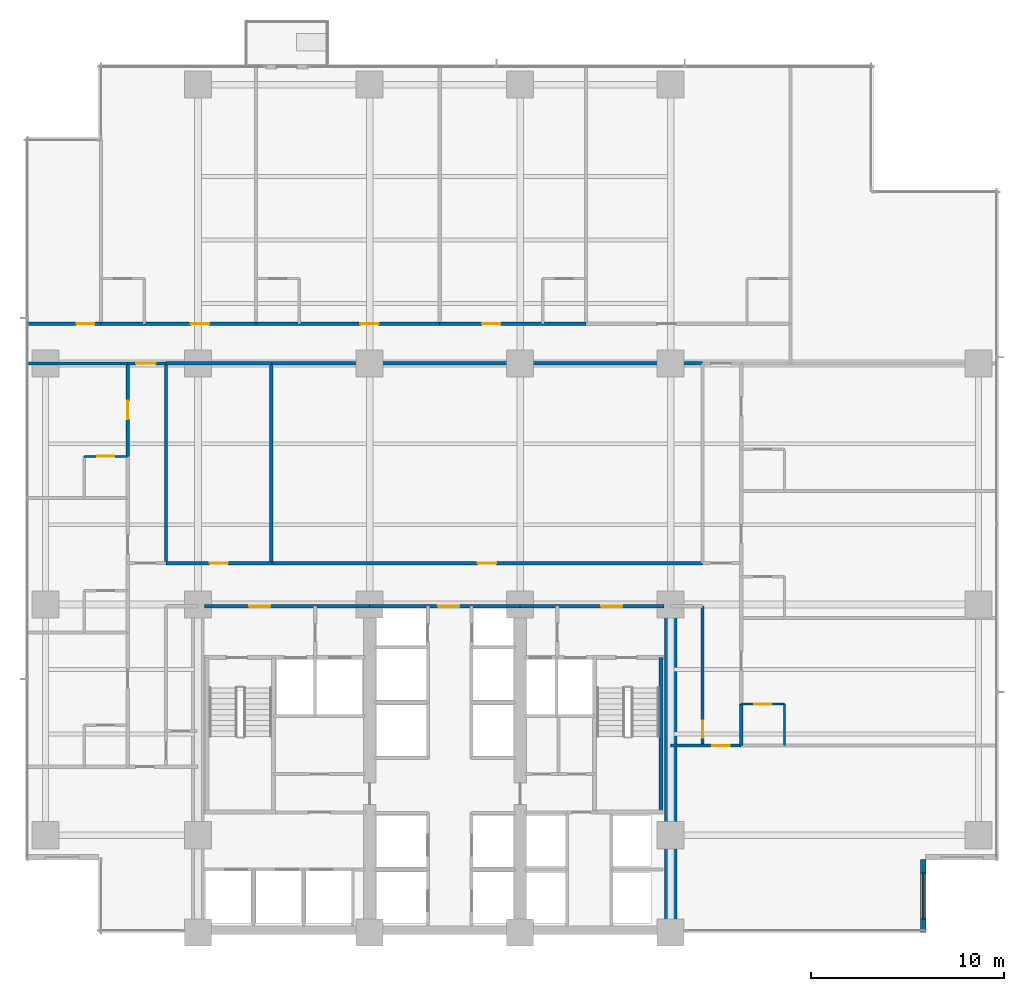
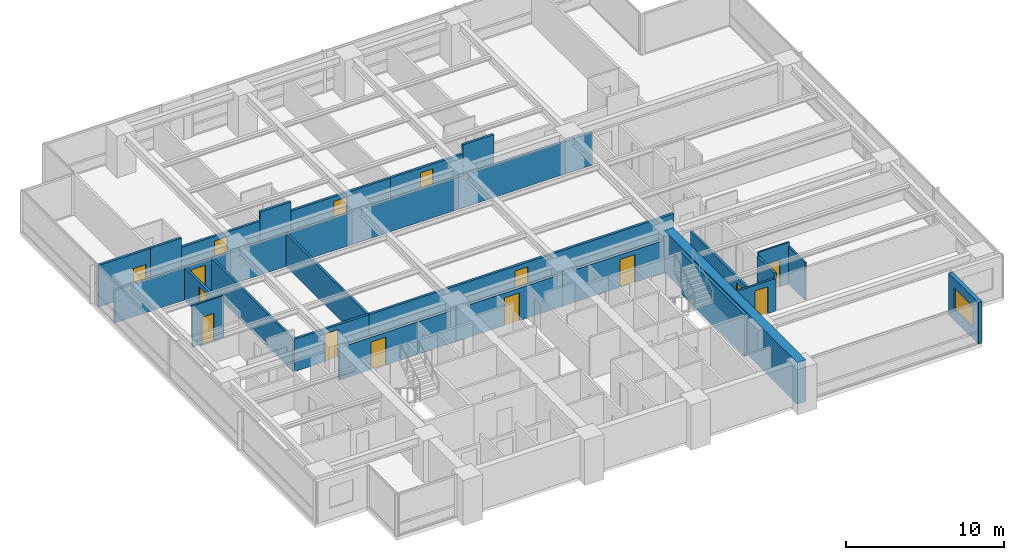
# One storey, part 9 of 17: 29 walls, 15 doors, 1 window, 16 openings.
"""IFC4 building model written with IfcOpenShell, lengths in metres."""

from ifc_helpers import new_model, si_unit, direction, frame, frame_2d, origin, place, context, subcontext, project, spatial, rectangle, extrude, material, layer, layer_set, type_object, element, fill, save


model = new_model("IFC4")

# Units and contexts
model_context = context("Model", 3, precision=1e-05, world=origin(), true_north=direction((0.0, 1.0)))
body_context = subcontext(model_context, "Body", "Model", "MODEL_VIEW")
ifc_project = project(units=[si_unit("LENGTHUNIT", "METRE"), si_unit("AREAUNIT", "SQUARE_METRE"), si_unit("VOLUMEUNIT", "CUBIC_METRE"), si_unit("PLANEANGLEUNIT", "RADIAN"), si_unit("MASSUNIT", "GRAM", prefix="KILO")], contexts=[model_context])

# Site, building, storey
site_placement = place(None, origin())
site = spatial("IfcSite", under=ifc_project, at=site_placement, CompositionType="ELEMENT")
building_placement = place(site_placement, origin())
building = spatial("IfcBuilding", under=site, at=building_placement, Name="Qalmaran Belvedere Hotel", CompositionType="ELEMENT")
storey_placement = place(building_placement, frame((0.0, 0.0, 68.39990234375)))
storey = spatial("IfcBuildingStorey", under=building, at=storey_placement, Name="L17", CompositionType="ELEMENT", Elevation=68.39990234375)

# Wall
ifc_material_1 = material(Name="Concrete C60/75", Category="concrete")
ifc_layer_1 = layer(ifc_material_1, 0.64990234375, Name="Concrete C60/75")
ifc_layer_set_1 = layer_set([ifc_layer_1], Name="Concrete C60/75")
wall_type_1 = type_object("IfcWallType", Name="WL-CORE-650-C60", PredefinedType="SHEAR", material=ifc_layer_set_1)
wall_1_placement = place(storey_placement, frame((44.800048828125, 3.5, 0.0), z_axis=(0.0, 0.0, 1.0), x_axis=(0.0, 1.0, 0.0)))
element("IfcWall", 1, at=wall_1_placement, inside=storey, type_object=wall_type_1, Name="L17 East Core Shear Wall", PredefinedType="SHEAR", context=body_context, shape_type="SweptSolid", body=[
    extrude(rectangle(XDim=16.89990234375, YDim=0.64990234375, at=frame_2d((8.449951171875, 0.0))), origin(), (0.0, 0.0, 1.0), 3.22021484375),
])

# Wall, opening, window
ifc_material_2 = material(Name="Anodised Bronze Cladding")
ifc_layer_2 = layer(ifc_material_2, 0.280029296875, Name="Anodised Bronze Cladding")
ifc_layer_set_2 = layer_set([ifc_layer_2], Name="Anodised Bronze Cladding")
wall_type_2 = type_object("IfcWallType", Name="WL-EXT-BRNZ-280", PredefinedType="SOLIDWALL", material=ifc_layer_set_2)
wall_2_placement = place(storey_placement, frame((57.8798828125, 3.5, 0.0), z_axis=(0.0, 0.0, 1.0), x_axis=(0.0, 1.0, 0.0)))
wall_2 = element("IfcWall", 2, at=wall_2_placement, inside=storey, type_object=wall_type_2, Name="L17 Corner Notch Wall 1", PredefinedType="SOLIDWALL", context=body_context, shape_type="SweptSolid", body=[
    extrude(rectangle(XDim=3.800048828125, YDim=0.280029296875, at=frame_2d((1.89990234375, 0.0))), origin(), (0.0, 0.0, 1.0), 3.22021484375),
])
opening_1_placement = place(wall_2_placement, frame((0.699951171875, 0.0, 0.85009765625)))
opening_1 = element("IfcOpeningElement", 3, at=opening_1_placement, cuts=wall_2, Name="Opening W-N24", PredefinedType="OPENING", context=body_context, shape_type="SweptSolid", body=[
    extrude(rectangle(XDim=2.39990234375, YDim=1.64990234375, at=frame_2d((1.199951171875, 0.824951171875))), frame((0.0, 0.14990234375, 0.0), z_axis=(0.0, -1.0, 0.0), x_axis=(1.0, 0.0, 0.0)), (0.0, 0.0, 1.0), 0.300048828125),
])
ifc_material_3 = material(Name="Solar-Control Double Glazing", Category="glass")
window_type = type_object("IfcWindowType", Name="WN-NTC-2400X1650", PartitioningType="SINGLE_PANEL", PredefinedType="WINDOW", material=ifc_material_3)
window_placement = place(opening_1_placement, origin())
window = element("IfcWindow", 4, at=window_placement, inside=storey, type_object=window_type, Name="L17 Corner Notch Window 1", OverallHeight=1.64990234375, OverallWidth=2.39990234375, PartitioningType="SINGLE_PANEL", PredefinedType="WINDOW", context=body_context, shape_type="SweptSolid", body=[
    extrude(rectangle(XDim=2.39990234375, YDim=1.64990234375, at=frame_2d((1.199951171875, 0.824951171875))), frame((0.0, 0.030029296875, 0.0), z_axis=(0.0, -1.0, 0.0), x_axis=(1.0, 0.0, 0.0)), (0.0, 0.0, 1.0), 0.06005859375),
])
fill(opening_1, window)

# Wall, opening, door
ifc_material_4 = material(Name="Moisture-Resistant Gypsum")
ifc_layer_3 = layer(ifc_material_4, 0.1201171875, Name="Moisture-Resistant Gypsum")
ifc_layer_set_3 = layer_set([ifc_layer_3], Name="Moisture-Resistant Gypsum")
wall_type_3 = type_object("IfcWallType", Name="WL-INT-120-BATH", PredefinedType="PARTITIONING", material=ifc_layer_set_3)
wall_3_placement = place(storey_placement, frame((14.39990234375, 28.183349609375, 0.0), z_axis=(0.0, 0.0, 1.0), x_axis=(1.0, 0.0, 0.0)))
wall_3 = element("IfcWall", 5, at=wall_3_placement, inside=storey, type_object=wall_type_3, Name="L17 Partition WL-L17-WBN02", PredefinedType="PARTITIONING", context=body_context, shape_type="SweptSolid", body=[
    extrude(rectangle(XDim=2.25, YDim=0.1201171875, at=frame_2d((1.125, 0.0))), origin(), (0.0, 0.0, 1.0), 3.22021484375),
])
opening_2_placement = place(wall_3_placement, frame((1.56494140625, 0.0, 0.0), z_axis=(0.0, 0.0, 1.0), x_axis=(-1.0, 0.0, 0.0)))
opening_2 = element("IfcOpeningElement", 6, at=opening_2_placement, cuts=wall_3, Name="Opening D-BATH", PredefinedType="OPENING", context=body_context, shape_type="SweptSolid", body=[
    extrude(rectangle(XDim=0.8798828125, YDim=2.080078125, at=frame_2d((0.43994140625, 1.0400390625))), frame((0.0, 0.070068359375, 0.0), z_axis=(0.0, -1.0, 0.0), x_axis=(1.0, 0.0, 0.0)), (0.0, 0.0, 1.0), 0.14013671875),
])
ifc_material_5 = material(Name="Engineered Oak Veneer")
door_type_1 = type_object("IfcDoorType", Name="DR-INT-BATH-880X2080", OperationType="NOTDEFINED", PredefinedType="DOOR", material=ifc_material_5)
door_1_placement = place(opening_2_placement, origin())
door_1 = element("IfcDoor", 7, at=door_1_placement, inside=storey, type_object=door_type_1, Name="L17 W Ensuite Door 03", OperationType="SINGLE_SWING_LEFT", OverallHeight=2.080078125, OverallWidth=0.8798828125, PredefinedType="DOOR", context=body_context, shape_type="SweptSolid", body=[
    extrude(rectangle(XDim=0.8798828125, YDim=2.080078125, at=frame_2d((0.43994140625, 1.0400390625))), frame((0.0, 0.02490234375, 0.0), z_axis=(0.0, -1.0, 0.0), x_axis=(1.0, 0.0, 0.0)), (0.0, 0.0, 1.0), 0.050048828125),
])
fill(opening_2, door_1)

wall_4_placement = place(storey_placement, frame((48.449951171875, 15.35009765625, 0.0), z_axis=(0.0, 0.0, 1.0), x_axis=(1.0, 0.0, 0.0)))
wall_4 = element("IfcWall", 8, at=wall_4_placement, inside=storey, type_object=wall_type_3, Name="L17 Partition WL-L17-EBN00", PredefinedType="PARTITIONING", context=body_context, shape_type="SweptSolid", body=[
    extrude(rectangle(XDim=2.25, YDim=0.1201171875, at=frame_2d((1.125, 0.0))), origin(), (0.0, 0.0, 1.0), 3.22021484375),
])
opening_3_placement = place(wall_4_placement, frame((1.56494140625, 0.0, 0.0), z_axis=(0.0, 0.0, 1.0), x_axis=(-1.0, 0.0, 0.0)))
opening_3 = element("IfcOpeningElement", 9, at=opening_3_placement, cuts=wall_4, Name="Opening D-BATH", PredefinedType="OPENING", context=body_context, shape_type="SweptSolid", body=[
    extrude(rectangle(XDim=0.8798828125, YDim=2.080078125, at=frame_2d((0.43994140625, 1.0400390625))), frame((0.0, 0.070068359375, 0.0), z_axis=(0.0, -1.0, 0.0), x_axis=(1.0, 0.0, 0.0)), (0.0, 0.0, 1.0), 0.14013671875),
])
door_2_placement = place(opening_3_placement, origin())
door_2 = element("IfcDoor", 10, at=door_2_placement, inside=storey, type_object=door_type_1, Name="L17 E Ensuite Door 01", OperationType="SINGLE_SWING_LEFT", OverallHeight=2.080078125, OverallWidth=0.8798828125, PredefinedType="DOOR", context=body_context, shape_type="SweptSolid", body=[
    extrude(rectangle(XDim=0.8798828125, YDim=2.080078125, at=frame_2d((0.43994140625, 1.0400390625))), frame((0.0, 0.02490234375, 0.0), z_axis=(0.0, -1.0, 0.0), x_axis=(1.0, 0.0, 0.0)), (0.0, 0.0, 1.0), 0.050048828125),
])
fill(opening_3, door_2)

# Wall
wall_5_placement = place(storey_placement, frame((50.699951171875, 13.199951171875, 0.0), z_axis=(0.0, 0.0, 1.0), x_axis=(0.0, 1.0, 0.0)))
element("IfcWall", 11, at=wall_5_placement, inside=storey, type_object=wall_type_3, Name="L17 Partition WL-L17-EBS00", PredefinedType="PARTITIONING", context=body_context, shape_type="SweptSolid", body=[
    extrude(rectangle(XDim=2.150146484375, YDim=0.1201171875, at=frame_2d((1.0751953125, 0.0))), origin(), (0.0, 0.0, 1.0), 2.902099609375),
])

# Wall, opening, door
ifc_material_6 = material(Name="Gypsum Stud Partition")
ifc_layer_4 = layer(ifc_material_6, 0.14990234375, Name="Gypsum Stud Partition")
ifc_layer_set_4 = layer_set([ifc_layer_4], Name="Gypsum Stud Partition")
wall_type_4 = type_object("IfcWallType", Name="WL-INT-150-EI60", PredefinedType="PARTITIONING", material=ifc_layer_set_4)
wall_6_placement = place(storey_placement, frame((16.64990234375, 33.0, 0.0), z_axis=(0.0, 0.0, 1.0), x_axis=(1.0, 0.0, 0.0)))
wall_6 = element("IfcWall", 12, at=wall_6_placement, inside=storey, type_object=wall_type_4, Name="L17 Partition WL-L17-XCW2", PredefinedType="PARTITIONING", context=body_context, shape_type="SweptSolid", body=[
    extrude(rectangle(XDim=2.0, YDim=0.14990234375, at=frame_2d((1.0, 0.0))), origin(), (0.0, 0.0, 1.0), 2.510009765625),
])
opening_4_placement = place(wall_6_placement, frame((0.449951171875, 0.0, 0.0)))
opening_4 = element("IfcOpeningElement", 13, at=opening_4_placement, cuts=wall_6, Name="Opening FD90B", PredefinedType="OPENING", context=body_context, shape_type="SweptSolid", body=[
    extrude(rectangle(XDim=1.0, YDim=2.14990234375, at=frame_2d((0.5, 1.074951171875))), frame((0.0, 0.0849609375, 0.0), z_axis=(0.0, -1.0, 0.0), x_axis=(1.0, 0.0, 0.0)), (0.0, 0.0, 1.0), 0.169921875),
])
ifc_material_7 = material(Name="Steel S355JR", Category="steel")
door_type_2 = type_object("IfcDoorType", Name="DR-FD90B-1000X2150", OperationType="NOTDEFINED", PredefinedType="DOOR", material=ifc_material_7)
door_3_placement = place(opening_4_placement, origin())
door_3 = element("IfcDoor", 14, at=door_3_placement, inside=storey, type_object=door_type_2, Name="L17 West Corridor Smoke Door N", OperationType="SINGLE_SWING_RIGHT", OverallHeight=2.14990234375, OverallWidth=1.0, PredefinedType="DOOR", context=body_context, shape_type="SweptSolid", body=[
    extrude(rectangle(XDim=1.0, YDim=2.14990234375, at=frame_2d((0.5, 1.074951171875))), frame((0.0, 0.02490234375, 0.0), z_axis=(0.0, -1.0, 0.0), x_axis=(1.0, 0.0, 0.0)), (0.0, 0.0, 1.0), 0.050048828125),
])
fill(opening_4, door_3)

ifc_layer_5 = layer(ifc_material_6, 0.159912109375, Name="Gypsum Stud Partition")
ifc_layer_set_5 = layer_set([ifc_layer_5], Name="Gypsum Stud Partition")
wall_type_5 = type_object("IfcWallType", Name="WL-INT-160-EI60", PredefinedType="PARTITIONING", material=ifc_layer_set_5)
wall_7_placement = place(storey_placement, frame((44.800048828125, 13.199951171875, 0.0), z_axis=(0.0, 0.0, 1.0), x_axis=(1.0, 0.0, 0.0)))
wall_7 = element("IfcWall", 15, at=wall_7_placement, inside=storey, type_object=wall_type_5, Name="L17 Partition WL-L17-SERL", PredefinedType="PARTITIONING", context=body_context, shape_type="SweptSolid", body=[
    extrude(rectangle(XDim=3.64990234375, YDim=0.159912109375, at=frame_2d((1.824951171875, 0.0))), origin(), (0.0, 0.0, 1.0), 2.510009765625),
])
opening_5_placement = place(wall_7_placement, frame((3.06982421875, 0.0, 0.0), z_axis=(0.0, 0.0, 1.0), x_axis=(-1.0, 0.0, 0.0)))
opening_5 = element("IfcOpeningElement", 16, at=opening_5_placement, cuts=wall_7, Name="Opening FD60S1", PredefinedType="OPENING", context=body_context, shape_type="SweptSolid", body=[
    extrude(rectangle(XDim=0.919921875, YDim=2.080078125, at=frame_2d((0.4599609375, 1.0400390625))), frame((0.0, 0.08984375, 0.0), z_axis=(0.0, -1.0, 0.0), x_axis=(1.0, 0.0, 0.0)), (0.0, 0.0, 1.0), 0.179931640625),
])
door_type_3 = type_object("IfcDoorType", Name="DR-FD60S-920X2080", OperationType="NOTDEFINED", PredefinedType="DOOR", material=ifc_material_5)
door_4_placement = place(opening_5_placement, origin())
door_4 = element("IfcDoor", 17, at=door_4_placement, inside=storey, type_object=door_type_3, Name="L17 SE Lounge Door", OperationType="SINGLE_SWING_RIGHT", OverallHeight=2.080078125, OverallWidth=0.919921875, PredefinedType="DOOR", context=body_context, shape_type="SweptSolid", body=[
    extrude(rectangle(XDim=0.919921875, YDim=2.080078125, at=frame_2d((0.4599609375, 1.0400390625))), frame((0.0, 0.02490234375, 0.0), z_axis=(0.0, -1.0, 0.0), x_axis=(1.0, 0.0, 0.0)), (0.0, 0.0, 1.0), 0.050048828125),
])
fill(opening_5, door_4)

wall_8_placement = place(storey_placement, frame((46.449951171875, 13.199951171875, 0.0), z_axis=(0.0, 0.0, 1.0), x_axis=(0.0, 1.0, 0.0)))
wall_8 = element("IfcWall", 18, at=wall_8_placement, inside=storey, type_object=wall_type_5, Name="L17 Partition WL-L17-ECL", PredefinedType="PARTITIONING", context=body_context, shape_type="SweptSolid", body=[
    extrude(rectangle(XDim=7.219970703125, YDim=0.159912109375, at=frame_2d((3.60986328125, 0.0))), origin(), (0.0, 0.0, 1.0), 2.510009765625),
])
opening_6_placement = place(wall_8_placement, frame((0.39990234375, 0.0, 0.0)))
opening_6 = element("IfcOpeningElement", 19, at=opening_6_placement, cuts=wall_8, Name="Opening FD60B", PredefinedType="OPENING", context=body_context, shape_type="SweptSolid", body=[
    extrude(rectangle(XDim=0.8798828125, YDim=2.080078125, at=frame_2d((0.43994140625, 1.0400390625))), frame((0.0, 0.08984375, 0.0), z_axis=(0.0, -1.0, 0.0), x_axis=(1.0, 0.0, 0.0)), (0.0, 0.0, 1.0), 0.179931640625),
])
door_type_4 = type_object("IfcDoorType", Name="DR-FD60B-880X2080", OperationType="NOTDEFINED", PredefinedType="DOOR", material=ifc_material_7)
door_5_placement = place(opening_6_placement, origin())
door_5 = element("IfcDoor", 20, at=door_5_placement, inside=storey, type_object=door_type_4, Name="L17 East Closet Door", OperationType="SINGLE_SWING_RIGHT", OverallHeight=2.080078125, OverallWidth=0.8798828125, PredefinedType="DOOR", context=body_context, shape_type="SweptSolid", body=[
    extrude(rectangle(XDim=0.8798828125, YDim=2.080078125, at=frame_2d((0.43994140625, 1.0400390625))), frame((0.0, 0.02490234375, 0.0), z_axis=(0.0, -1.0, 0.0), x_axis=(1.0, 0.0, 0.0)), (0.0, 0.0, 1.0), 0.050048828125),
])
fill(opening_6, door_5)

# Walls
for number, where, z_axis, x_axis, name in (
    (21, (18.64990234375, 22.64990234375, 0.0), (0.0, 0.0, 1.0), (0.0, 1.0, 0.0), "L17 Partition WL-L17-MIDVL"),
    (22, (24.10009765625, 22.64990234375, 0.0), (0.0, 0.0, 1.0), (0.0, 1.0, 0.0), "L17 Partition WL-L17-MIDVR1"),
):
    element("IfcWall", number, at=place(storey_placement, frame(where, z_axis=z_axis, x_axis=x_axis)), inside=storey, type_object=wall_type_5, Name=name, PredefinedType="PARTITIONING", context=body_context, shape_type="SweptSolid", body=[
        extrude(rectangle(XDim=10.35009765625, YDim=0.159912109375, at=frame_2d((5.175048828125, 0.0))), origin(), (0.0, 0.0, 1.0), 2.510009765625),
    ])
wall_9_placement = place(storey_placement, frame((11.469970703125, 33.0, 0.0), z_axis=(0.0, 0.0, 1.0), x_axis=(1.0, 0.0, 0.0)))
element("IfcWall", 23, at=wall_9_placement, inside=storey, type_object=wall_type_5, Name="L17 Partition WL-L17-WU02", PredefinedType="PARTITIONING", context=body_context, shape_type="SweptSolid", body=[
    extrude(rectangle(XDim=5.179931640625, YDim=0.159912109375, at=frame_2d((2.58984375, 0.0))), origin(), (0.0, 0.0, 1.0), 2.510009765625),
])

# Wall, opening, door
ifc_layer_6 = layer(ifc_material_6, 0.179931640625, Name="Gypsum Stud Partition")
ifc_layer_set_6 = layer_set([ifc_layer_6], Name="Gypsum Stud Partition")
wall_type_6 = type_object("IfcWallType", Name="WL-INT-180-EI60", PredefinedType="PARTITIONING", material=ifc_layer_set_6)
wall_10_placement = place(storey_placement, frame((18.64990234375, 22.64990234375, 0.0), z_axis=(0.0, 0.0, 1.0), x_axis=(1.0, 0.0, 0.0)))
wall_10 = element("IfcWall", 24, at=wall_10_placement, inside=storey, type_object=wall_type_6, Name="L17 Partition WL-L17-MIDD1", PredefinedType="PARTITIONING", context=body_context, shape_type="SweptSolid", body=[
    extrude(rectangle(XDim=5.4501953125, YDim=0.179931640625, at=frame_2d((2.72509765625, 0.0))), origin(), (0.0, 0.0, 1.0), 2.510009765625),
])
opening_7_placement = place(wall_10_placement, frame((2.25, 0.0, 0.0)))
opening_7 = element("IfcOpeningElement", 25, at=opening_7_placement, cuts=wall_10, Name="Opening FD60", PredefinedType="OPENING", context=body_context, shape_type="SweptSolid", body=[
    extrude(rectangle(XDim=0.949951171875, YDim=2.14990234375, at=frame_2d((0.47509765625, 1.074951171875))), frame((0.0, 0.10009765625, 0.0), z_axis=(0.0, -1.0, 0.0), x_axis=(1.0, 0.0, 0.0)), (0.0, 0.0, 1.0), 0.199951171875),
])
door_type_5 = type_object("IfcDoorType", Name="DR-FD60-950X2150", OperationType="NOTDEFINED", PredefinedType="DOOR", material=ifc_material_5)
door_6_placement = place(opening_7_placement, origin())
door_6 = element("IfcDoor", 26, at=door_6_placement, inside=storey, type_object=door_type_5, Name="L17 Housekeeping and Linen Room Door", OperationType="SINGLE_SWING_LEFT", OverallHeight=2.14990234375, OverallWidth=0.949951171875, PredefinedType="DOOR", context=body_context, shape_type="SweptSolid", body=[
    extrude(rectangle(XDim=0.949951171875, YDim=2.14990234375, at=frame_2d((0.47509765625, 1.074951171875))), frame((0.0, 0.02490234375, 0.0), z_axis=(0.0, -1.0, 0.0), x_axis=(1.0, 0.0, 0.0)), (0.0, 0.0, 1.0), 0.050048828125),
])
fill(opening_7, door_6)

# Wall
wall_11_placement = place(storey_placement, frame((18.64990234375, 33.0, 0.0), z_axis=(0.0, 0.0, 1.0), x_axis=(1.0, 0.0, 0.0)))
element("IfcWall", 27, at=wall_11_placement, inside=storey, type_object=wall_type_6, Name="L17 Partition WL-L17-MIDO1", PredefinedType="PARTITIONING", context=body_context, shape_type="SweptSolid", body=[
    extrude(rectangle(XDim=5.4501953125, YDim=0.179931640625, at=frame_2d((2.72509765625, 0.0))), origin(), (0.0, 0.0, 1.0), 2.510009765625),
])

# Wall, opening, door
wall_12_placement = place(storey_placement, frame((24.10009765625, 22.64990234375, 0.0), z_axis=(0.0, 0.0, 1.0), x_axis=(1.0, 0.0, 0.0)))
wall_12 = element("IfcWall", 28, at=wall_12_placement, inside=storey, type_object=wall_type_6, Name="L17 Partition WL-L17-MIDD2", PredefinedType="PARTITIONING", context=body_context, shape_type="SweptSolid", body=[
    extrude(rectangle(XDim=22.349853515625, YDim=0.179931640625, at=frame_2d((11.1748046875, 0.0))), origin(), (0.0, 0.0, 1.0), 2.510009765625),
])
opening_8_placement = place(wall_12_placement, frame((10.699951171875, 0.0, 0.0)))
opening_8 = element("IfcOpeningElement", 29, at=opening_8_placement, cuts=wall_12, Name="Opening FD60", PredefinedType="OPENING", context=body_context, shape_type="SweptSolid", body=[
    extrude(rectangle(XDim=0.949951171875, YDim=2.14990234375, at=frame_2d((0.47509765625, 1.074951171875))), frame((0.0, 0.10009765625, 0.0), z_axis=(0.0, -1.0, 0.0), x_axis=(1.0, 0.0, 0.0)), (0.0, 0.0, 1.0), 0.199951171875),
])
door_7_placement = place(opening_8_placement, origin())
door_7 = element("IfcDoor", 30, at=door_7_placement, inside=storey, type_object=door_type_5, Name="L17 Diplomatic Lounge Door", OperationType="SINGLE_SWING_RIGHT", OverallHeight=2.14990234375, OverallWidth=0.949951171875, PredefinedType="DOOR", context=body_context, shape_type="SweptSolid", body=[
    extrude(rectangle(XDim=0.949951171875, YDim=2.14990234375, at=frame_2d((0.47509765625, 1.074951171875))), frame((0.0, 0.02490234375, 0.0), z_axis=(0.0, -1.0, 0.0), x_axis=(1.0, 0.0, 0.0)), (0.0, 0.0, 1.0), 0.050048828125),
])
fill(opening_8, door_7)

# Walls
wall_13_placement = place(storey_placement, frame((24.10009765625, 33.0, 0.0), z_axis=(0.0, 0.0, 1.0), x_axis=(1.0, 0.0, 0.0)))
element("IfcWall", 31, at=wall_13_placement, inside=storey, type_object=wall_type_6, Name="L17 Partition WL-L17-MIDO2", PredefinedType="PARTITIONING", context=body_context, shape_type="SweptSolid", body=[
    extrude(rectangle(XDim=22.349853515625, YDim=0.179931640625, at=frame_2d((11.1748046875, 0.0))), origin(), (0.0, 0.0, 1.0), 2.510009765625),
])
wall_14_placement = place(storey_placement, frame((15.27001953125, 35.050048828125, 0.0), z_axis=(0.0, 0.0, 1.0), x_axis=(1.0, 0.0, 0.0)))
element("IfcWall", 32, at=wall_14_placement, inside=storey, type_object=wall_type_6, Name="L17 Partition WL-L17-NBC00", PredefinedType="PARTITIONING", context=body_context, shape_type="SweptSolid", body=[
    extrude(rectangle(XDim=2.25, YDim=0.179931640625, at=frame_2d((1.125, 0.0))), origin(), (0.0, 0.0, 1.0), 3.22021484375),
])

# Wall, opening, door
wall_15_placement = place(storey_placement, frame((17.52001953125, 35.050048828125, 0.0), z_axis=(0.0, 0.0, 1.0), x_axis=(1.0, 0.0, 0.0)))
wall_15 = element("IfcWall", 33, at=wall_15_placement, inside=storey, type_object=wall_type_6, Name="L17 Partition WL-L17-NEC00", PredefinedType="PARTITIONING", context=body_context, shape_type="SweptSolid", body=[
    extrude(rectangle(XDim=5.780029296875, YDim=0.179931640625, at=frame_2d((2.89013671875, 0.0))), origin(), (0.0, 0.0, 1.0), 2.510009765625),
])
opening_9_placement = place(wall_15_placement, frame((2.4150390625, 0.0, 0.0)))
opening_9 = element("IfcOpeningElement", 34, at=opening_9_placement, cuts=wall_15, Name="Opening FD60", PredefinedType="OPENING", context=body_context, shape_type="SweptSolid", body=[
    extrude(rectangle(XDim=0.949951171875, YDim=2.14990234375, at=frame_2d((0.47509765625, 1.074951171875))), frame((0.0, 0.10009765625, 0.0), z_axis=(0.0, -1.0, 0.0), x_axis=(1.0, 0.0, 0.0)), (0.0, 0.0, 1.0), 0.199951171875),
])
door_8_placement = place(opening_9_placement, origin())
door_8 = element("IfcDoor", 35, at=door_8_placement, inside=storey, type_object=door_type_5, Name="L17 Guest Entrance Door N01", OperationType="SINGLE_SWING_RIGHT", OverallHeight=2.14990234375, OverallWidth=0.949951171875, PredefinedType="DOOR", context=body_context, shape_type="SweptSolid", body=[
    extrude(rectangle(XDim=0.949951171875, YDim=2.14990234375, at=frame_2d((0.47509765625, 1.074951171875))), frame((0.0, 0.02490234375, 0.0), z_axis=(0.0, -1.0, 0.0), x_axis=(1.0, 0.0, 0.0)), (0.0, 0.0, 1.0), 0.050048828125),
])
fill(opening_9, door_8)

# Wall
wall_16_placement = place(storey_placement, frame((23.300048828125, 35.050048828125, 0.0), z_axis=(0.0, 0.0, 1.0), x_axis=(1.0, 0.0, 0.0)))
element("IfcWall", 36, at=wall_16_placement, inside=storey, type_object=wall_type_6, Name="L17 Partition WL-L17-NBC01", PredefinedType="PARTITIONING", context=body_context, shape_type="SweptSolid", body=[
    extrude(rectangle(XDim=2.25, YDim=0.179931640625, at=frame_2d((1.125, 0.0))), origin(), (0.0, 0.0, 1.0), 3.22021484375),
])

# Wall, opening, door
wall_17_placement = place(storey_placement, frame((25.550048828125, 35.050048828125, 0.0), z_axis=(0.0, 0.0, 1.0), x_axis=(1.0, 0.0, 0.0)))
wall_17 = element("IfcWall", 37, at=wall_17_placement, inside=storey, type_object=wall_type_6, Name="L17 Partition WL-L17-NEC01", PredefinedType="PARTITIONING", context=body_context, shape_type="SweptSolid", body=[
    extrude(rectangle(XDim=7.2802734375, YDim=0.179931640625, at=frame_2d((3.64013671875, 0.0))), origin(), (0.0, 0.0, 1.0), 2.510009765625),
])
opening_10_placement = place(wall_17_placement, frame((3.165283203125, 0.0, 0.0)))
opening_10 = element("IfcOpeningElement", 38, at=opening_10_placement, cuts=wall_17, Name="Opening FD60", PredefinedType="OPENING", context=body_context, shape_type="SweptSolid", body=[
    extrude(rectangle(XDim=0.949951171875, YDim=2.14990234375, at=frame_2d((0.47509765625, 1.074951171875))), frame((0.0, 0.10009765625, 0.0), z_axis=(0.0, -1.0, 0.0), x_axis=(1.0, 0.0, 0.0)), (0.0, 0.0, 1.0), 0.199951171875),
])
door_9_placement = place(opening_10_placement, origin())
door_9 = element("IfcDoor", 39, at=door_9_placement, inside=storey, type_object=door_type_5, Name="L17 Guest Entrance Door N02", OperationType="SINGLE_SWING_RIGHT", OverallHeight=2.14990234375, OverallWidth=0.949951171875, PredefinedType="DOOR", context=body_context, shape_type="SweptSolid", body=[
    extrude(rectangle(XDim=0.949951171875, YDim=2.14990234375, at=frame_2d((0.47509765625, 1.074951171875))), frame((0.0, 0.02490234375, 0.0), z_axis=(0.0, -1.0, 0.0), x_axis=(1.0, 0.0, 0.0)), (0.0, 0.0, 1.0), 0.050048828125),
])
fill(opening_10, door_9)

# Wall
wall_18_placement = place(storey_placement, frame((38.163330078125, 35.050048828125, 0.0), z_axis=(0.0, 0.0, 1.0), x_axis=(1.0, 0.0, 0.0)))
element("IfcWall", 40, at=wall_18_placement, inside=storey, type_object=wall_type_6, Name="L17 Partition WL-L17-NBC02", PredefinedType="PARTITIONING", context=body_context, shape_type="SweptSolid", body=[
    extrude(rectangle(XDim=2.25, YDim=0.179931640625, at=frame_2d((1.125, 0.0))), origin(), (0.0, 0.0, 1.0), 3.22021484375),
])

# Wall, opening, door
wall_19_placement = place(storey_placement, frame((32.830322265625, 35.050048828125, 0.0), z_axis=(0.0, 0.0, 1.0), x_axis=(1.0, 0.0, 0.0)))
wall_19 = element("IfcWall", 41, at=wall_19_placement, inside=storey, type_object=wall_type_6, Name="L17 Partition WL-L17-NEC02", PredefinedType="PARTITIONING", context=body_context, shape_type="SweptSolid", body=[
    extrude(rectangle(XDim=5.3330078125, YDim=0.179931640625, at=frame_2d((2.66650390625, 0.0))), origin(), (0.0, 0.0, 1.0), 2.510009765625),
])
opening_11_placement = place(wall_19_placement, frame((2.19140625, 0.0, 0.0)))
opening_11 = element("IfcOpeningElement", 42, at=opening_11_placement, cuts=wall_19, Name="Opening FD60", PredefinedType="OPENING", context=body_context, shape_type="SweptSolid", body=[
    extrude(rectangle(XDim=0.949951171875, YDim=2.14990234375, at=frame_2d((0.47509765625, 1.074951171875))), frame((0.0, 0.10009765625, 0.0), z_axis=(0.0, -1.0, 0.0), x_axis=(1.0, 0.0, 0.0)), (0.0, 0.0, 1.0), 0.199951171875),
])
door_10_placement = place(opening_11_placement, origin())
door_10 = element("IfcDoor", 43, at=door_10_placement, inside=storey, type_object=door_type_5, Name="L17 Guest Entrance Door N03", OperationType="SINGLE_SWING_RIGHT", OverallHeight=2.14990234375, OverallWidth=0.949951171875, PredefinedType="DOOR", context=body_context, shape_type="SweptSolid", body=[
    extrude(rectangle(XDim=0.949951171875, YDim=2.14990234375, at=frame_2d((0.47509765625, 1.074951171875))), frame((0.0, 0.02490234375, 0.0), z_axis=(0.0, -1.0, 0.0), x_axis=(1.0, 0.0, 0.0)), (0.0, 0.0, 1.0), 0.050048828125),
])
fill(opening_11, door_10)

wall_20_placement = place(storey_placement, frame((16.64990234375, 28.183349609375, 0.0), z_axis=(0.0, 0.0, 1.0), x_axis=(0.0, 1.0, 0.0)))
wall_20 = element("IfcWall", 44, at=wall_20_placement, inside=storey, type_object=wall_type_6, Name="L17 Partition WL-L17-WEC02", PredefinedType="PARTITIONING", context=body_context, shape_type="SweptSolid", body=[
    extrude(rectangle(XDim=4.816650390625, YDim=0.179931640625, at=frame_2d((2.408203125, 0.0))), origin(), (0.0, 0.0, 1.0), 2.510009765625),
])
opening_12_placement = place(wall_20_placement, frame((1.933349609375, 0.0, 0.0)))
opening_12 = element("IfcOpeningElement", 45, at=opening_12_placement, cuts=wall_20, Name="Opening FD60", PredefinedType="OPENING", context=body_context, shape_type="SweptSolid", body=[
    extrude(rectangle(XDim=0.949951171875, YDim=2.14990234375, at=frame_2d((0.47509765625, 1.074951171875))), frame((0.0, 0.10009765625, 0.0), z_axis=(0.0, -1.0, 0.0), x_axis=(1.0, 0.0, 0.0)), (0.0, 0.0, 1.0), 0.199951171875),
])
door_11_placement = place(opening_12_placement, origin())
door_11 = element("IfcDoor", 46, at=door_11_placement, inside=storey, type_object=door_type_5, Name="L17 W Wing Door 03", OperationType="SINGLE_SWING_RIGHT", OverallHeight=2.14990234375, OverallWidth=0.949951171875, PredefinedType="DOOR", context=body_context, shape_type="SweptSolid", body=[
    extrude(rectangle(XDim=0.949951171875, YDim=2.14990234375, at=frame_2d((0.47509765625, 1.074951171875))), frame((0.0, 0.02490234375, 0.0), z_axis=(0.0, -1.0, 0.0), x_axis=(1.0, 0.0, 0.0)), (0.0, 0.0, 1.0), 0.050048828125),
])
fill(opening_12, door_11)

# Wall
wall_21_placement = place(storey_placement, frame((48.449951171875, 13.199951171875, 0.0), z_axis=(0.0, 0.0, 1.0), x_axis=(0.0, 1.0, 0.0)))
element("IfcWall", 47, at=wall_21_placement, inside=storey, type_object=wall_type_6, Name="L17 Partition WL-L17-EBC00", PredefinedType="PARTITIONING", context=body_context, shape_type="SweptSolid", body=[
    extrude(rectangle(XDim=2.150146484375, YDim=0.179931640625, at=frame_2d((1.0751953125, 0.0))), origin(), (0.0, 0.0, 1.0), 2.902099609375),
])

# Wall, opening, door
wall_22_placement = place(storey_placement, frame((11.469970703125, 35.050048828125, 0.0), z_axis=(0.0, 0.0, 1.0), x_axis=(1.0, 0.0, 0.0)))
wall_22 = element("IfcWall", 48, at=wall_22_placement, inside=storey, type_object=wall_type_6, Name="L17 Partition WL-L17-NWSD", PredefinedType="PARTITIONING", context=body_context, shape_type="SweptSolid", body=[
    extrude(rectangle(XDim=3.800048828125, YDim=0.179931640625, at=frame_2d((1.89990234375, 0.0))), origin(), (0.0, 0.0, 1.0), 3.22021484375),
])
opening_13_placement = place(wall_22_placement, frame((2.543701171875, 0.0, 0.0)))
opening_13 = element("IfcOpeningElement", 49, at=opening_13_placement, cuts=wall_22, Name="Opening FD60S1", PredefinedType="OPENING", context=body_context, shape_type="SweptSolid", body=[
    extrude(rectangle(XDim=0.919921875, YDim=2.080078125, at=frame_2d((0.4599609375, 1.0400390625))), frame((0.0, 0.10009765625, 0.0), z_axis=(0.0, -1.0, 0.0), x_axis=(1.0, 0.0, 0.0)), (0.0, 0.0, 1.0), 0.199951171875),
])
door_12_placement = place(opening_13_placement, origin())
door_12 = element("IfcDoor", 50, at=door_12_placement, inside=storey, type_object=door_type_3, Name="L17 NW Belvedere Study Door", OperationType="SINGLE_SWING_LEFT", OverallHeight=2.080078125, OverallWidth=0.919921875, PredefinedType="DOOR", context=body_context, shape_type="SweptSolid", body=[
    extrude(rectangle(XDim=0.919921875, YDim=2.080078125, at=frame_2d((0.4599609375, 1.0400390625))), frame((0.0, 0.02490234375, 0.0), z_axis=(0.0, -1.0, 0.0), x_axis=(1.0, 0.0, 0.0)), (0.0, 0.0, 1.0), 0.050048828125),
])
fill(opening_13, door_12)

ifc_material_8 = material(Name="Concrete C30/37 Blockwork", Category="masonry")
ifc_layer_7 = layer(ifc_material_8, 0.199951171875, Name="Concrete C30/37 Blockwork")
ifc_layer_set_7 = layer_set([ifc_layer_7], Name="Concrete C30/37 Blockwork")
wall_type_7 = type_object("IfcWallType", Name="WL-INT-200-EI120", PredefinedType="PARTITIONING", material=ifc_layer_set_7)
wall_23_placement = place(storey_placement, frame((20.64990234375, 20.419921875, 0.0), z_axis=(0.0, 0.0, 1.0), x_axis=(1.0, 0.0, 0.0)))
wall_23 = element("IfcWall", 51, at=wall_23_placement, inside=storey, type_object=wall_type_7, Name="L17 Partition WL-CN1A-L17", PredefinedType="PARTITIONING", context=body_context, shape_type="SweptSolid", body=[
    extrude(rectangle(XDim=5.72998046875, YDim=0.199951171875, at=frame_2d((2.864990234375, 0.0))), origin(), (0.0, 0.0, 1.0), 2.510009765625),
])
opening_14_placement = place(wall_23_placement, frame((2.300048828125, 0.0, 0.0)))
opening_14 = element("IfcOpeningElement", 52, at=opening_14_placement, cuts=wall_23, Name="Opening FD90", PredefinedType="OPENING", context=body_context, shape_type="SweptSolid", body=[
    extrude(rectangle(XDim=1.10009765625, YDim=2.14990234375, at=frame_2d((0.550048828125, 1.074951171875))), frame((0.0, 0.10986328125, 0.0), z_axis=(0.0, -1.0, 0.0), x_axis=(1.0, 0.0, 0.0)), (0.0, 0.0, 1.0), 0.219970703125),
])
door_type_6 = type_object("IfcDoorType", Name="DR-FD90-1100X2150", OperationType="NOTDEFINED", PredefinedType="DOOR", material=ifc_material_7)
door_13_placement = place(opening_14_placement, origin())
door_13 = element("IfcDoor", 53, at=door_13_placement, inside=storey, type_object=door_type_6, Name="L17 FF1 Lobby Corridor Door", OperationType="SINGLE_SWING_LEFT", OverallHeight=2.14990234375, OverallWidth=1.10009765625, PredefinedType="DOOR", context=body_context, shape_type="SweptSolid", body=[
    extrude(rectangle(XDim=1.10009765625, YDim=2.14990234375, at=frame_2d((0.550048828125, 1.074951171875))), frame((0.0, 0.02490234375, 0.0), z_axis=(0.0, -1.0, 0.0), x_axis=(1.0, 0.0, 0.0)), (0.0, 0.0, 1.0), 0.050048828125),
])
fill(opening_14, door_13)

# Wall
wall_24_placement = place(storey_placement, frame((26.3798828125, 20.419921875, 0.0), z_axis=(0.0, 0.0, 1.0), x_axis=(1.0, 0.0, 0.0)))
element("IfcWall", 54, at=wall_24_placement, inside=storey, type_object=wall_type_7, Name="L17 Partition WL-CN1B-L17", PredefinedType="PARTITIONING", context=body_context, shape_type="SweptSolid", body=[
    extrude(rectangle(XDim=2.820068359375, YDim=0.199951171875, at=frame_2d((1.41015625, 0.0))), origin(), (0.0, 0.0, 1.0), 2.510009765625),
])

# Wall, opening, door
wall_25_placement = place(storey_placement, frame((29.199951171875, 20.419921875, 0.0), z_axis=(0.0, 0.0, 1.0), x_axis=(1.0, 0.0, 0.0)))
wall_25 = element("IfcWall", 55, at=wall_25_placement, inside=storey, type_object=wall_type_7, Name="L17 Partition WL-CN2-L17", PredefinedType="PARTITIONING", context=body_context, shape_type="SweptSolid", body=[
    extrude(rectangle(XDim=7.800048828125, YDim=0.199951171875, at=frame_2d((3.89990234375, 0.0))), origin(), (0.0, 0.0, 1.0), 2.510009765625),
])
opening_15_placement = place(wall_25_placement, frame((3.550048828125, 0.0, 0.0)))
opening_15 = element("IfcOpeningElement", 56, at=opening_15_placement, cuts=wall_25, Name="Opening FD90", PredefinedType="OPENING", context=body_context, shape_type="SweptSolid", body=[
    extrude(rectangle(XDim=1.10009765625, YDim=2.14990234375, at=frame_2d((0.550048828125, 1.074951171875))), frame((0.0, 0.10986328125, 0.0), z_axis=(0.0, -1.0, 0.0), x_axis=(1.0, 0.0, 0.0)), (0.0, 0.0, 1.0), 0.219970703125),
])
door_14_placement = place(opening_15_placement, origin())
door_14 = element("IfcDoor", 57, at=door_14_placement, inside=storey, type_object=door_type_6, Name="L17 Central Lift Lobby Door", OperationType="SINGLE_SWING_RIGHT", OverallHeight=2.14990234375, OverallWidth=1.10009765625, PredefinedType="DOOR", context=body_context, shape_type="SweptSolid", body=[
    extrude(rectangle(XDim=1.10009765625, YDim=2.14990234375, at=frame_2d((0.550048828125, 1.074951171875))), frame((0.0, 0.02490234375, 0.0), z_axis=(0.0, -1.0, 0.0), x_axis=(1.0, 0.0, 0.0)), (0.0, 0.0, 1.0), 0.050048828125),
])
fill(opening_15, door_14)

wall_26_placement = place(storey_placement, frame((37.0, 20.419921875, 0.0), z_axis=(0.0, 0.0, 1.0), x_axis=(1.0, 0.0, 0.0)))
wall_26 = element("IfcWall", 58, at=wall_26_placement, inside=storey, type_object=wall_type_7, Name="L17 Partition WL-CN3-L17", PredefinedType="PARTITIONING", context=body_context, shape_type="SweptSolid", body=[
    extrude(rectangle(XDim=7.449951171875, YDim=0.199951171875, at=frame_2d((3.72509765625, 0.0))), origin(), (0.0, 0.0, 1.0), 2.510009765625),
])
opening_16_placement = place(wall_26_placement, frame((4.199951171875, 0.0, 0.0)))
opening_16 = element("IfcOpeningElement", 59, at=opening_16_placement, cuts=wall_26, Name="Opening FD90", PredefinedType="OPENING", context=body_context, shape_type="SweptSolid", body=[
    extrude(rectangle(XDim=1.10009765625, YDim=2.14990234375, at=frame_2d((0.550048828125, 1.074951171875))), frame((0.0, 0.10986328125, 0.0), z_axis=(0.0, -1.0, 0.0), x_axis=(1.0, 0.0, 0.0)), (0.0, 0.0, 1.0), 0.219970703125),
])
door_15_placement = place(opening_16_placement, origin())
door_15 = element("IfcDoor", 60, at=door_15_placement, inside=storey, type_object=door_type_6, Name="L17 FF2 Lobby Corridor Door", OperationType="SINGLE_SWING_LEFT", OverallHeight=2.14990234375, OverallWidth=1.10009765625, PredefinedType="DOOR", context=body_context, shape_type="SweptSolid", body=[
    extrude(rectangle(XDim=1.10009765625, YDim=2.14990234375, at=frame_2d((0.550048828125, 1.074951171875))), frame((0.0, 0.02490234375, 0.0), z_axis=(0.0, -1.0, 0.0), x_axis=(1.0, 0.0, 0.0)), (0.0, 0.0, 1.0), 0.050048828125),
])
fill(opening_16, door_15)

# Wall
ifc_material_9 = material(Name="Concrete C50/60", Category="concrete")
ifc_layer_8 = layer(ifc_material_9, 0.2099609375, Name="Concrete C50/60")
ifc_layer_set_8 = layer_set([ifc_layer_8], Name="Concrete C50/60")
wall_type_8 = type_object("IfcWallType", Name="WL-STAIR-210-C50", PredefinedType="SHEAR", material=ifc_layer_set_8)
wall_27_placement = place(storey_placement, frame((44.304931640625, 9.7451171875, 0.0), z_axis=(0.0, 0.0, 1.0), x_axis=(0.0, 1.0, 0.0)))
element("IfcWall", 61, at=wall_27_placement, inside=storey, type_object=wall_type_8, Name="L17 Stair ST-2 East Bearing Wall", PredefinedType="SHEAR", context=body_context, shape_type="SweptSolid", body=[
    extrude(rectangle(XDim=8.009765625, YDim=0.2099609375, at=frame_2d((4.0048828125, 0.0))), origin(), (0.0, 0.0, 1.0), 3.22021484375),
])

save(model, "model.ifc")
